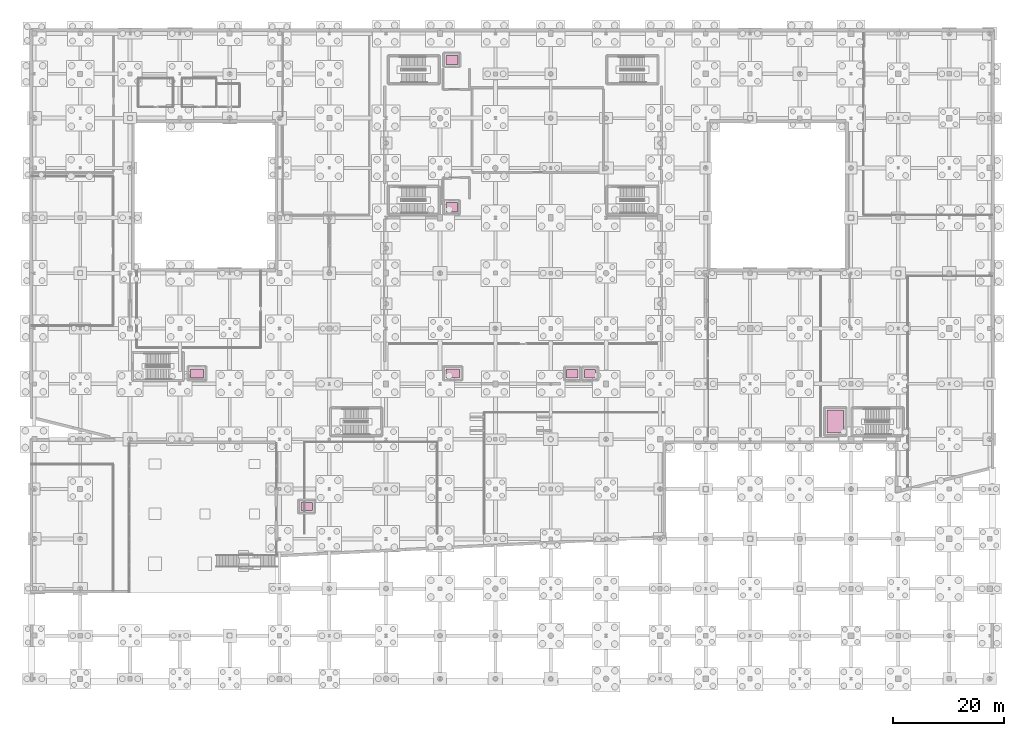
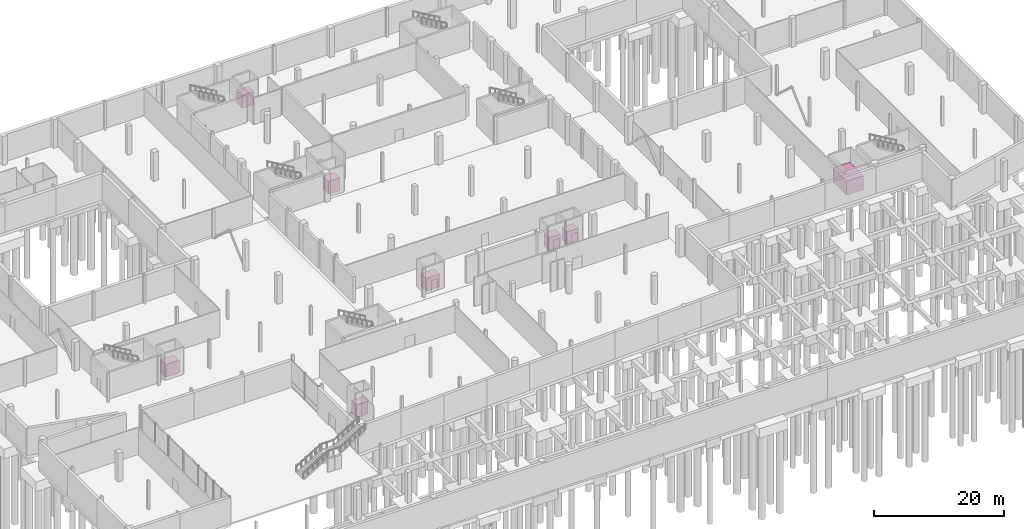
# One storey, part 60 of 60: 8 transport elements.
"""IFC4 building model written with IfcOpenShell, lengths in metres."""

from ifc_helpers import new_model, si_unit, direction, frame, origin, origin_2d, place, context, subcontext, project, spatial, rectangle, extrude, material, type_object, element, save


model = new_model("IFC4")

# Units and contexts
model_context = context("Model", 3, precision=1e-05, world=origin(), true_north=direction((0.0, 1.0)))
body_context = subcontext(model_context, "Body", "Model", "MODEL_VIEW")
ifc_project = project(units=[si_unit("LENGTHUNIT", "METRE"), si_unit("AREAUNIT", "SQUARE_METRE"), si_unit("VOLUMEUNIT", "CUBIC_METRE"), si_unit("PLANEANGLEUNIT", "RADIAN"), si_unit("MASSUNIT", "GRAM", prefix="KILO")], contexts=[model_context])

# Site, building, storey
site_placement = place(None, origin())
site = spatial("IfcSite", under=ifc_project, at=site_placement, CompositionType="ELEMENT")
building_placement = place(site_placement, origin())
building = spatial("IfcBuilding", under=site, at=building_placement, Name="Trimount Lyric Opera House", CompositionType="ELEMENT")
storey_placement = place(building_placement, frame((0.0, 0.0, -5.39990234375)))
storey = spatial("IfcBuildingStorey", under=building, at=storey_placement, Name="B1", CompositionType="ELEMENT", Elevation=-5.39990234375)

# Transport elements
ifc_material_1 = material(Name="Brushed Stainless Steel Cab", Category="steel")
transport_element_type_1 = type_object("IfcTransportElementType", Name="LF-01", PredefinedType="ELEVATOR", material=ifc_material_1)
transport_element_1_placement = place(storey_placement, frame((76.10009765625, 85.89990234375, 0.050048828125), z_axis=(0.0, 0.0, 1.0), x_axis=(1.0, 0.0, 0.0)))
element("IfcTransportElement", 1, at=transport_element_1_placement, inside=storey, type_object=transport_element_type_1, Name="Elevator LF-01", PredefinedType="ELEVATOR", context=body_context, shape_type="SweptSolid", body=[
    extrude(rectangle(XDim=2.050048828125, YDim=1.64990234375, at=origin_2d()), origin(), (0.0, 0.0, 1.0), 2.39990234375),
])
ifc_material_2 = material(Name="Brushed Stainless Steel Cab", Category="steel")
transport_element_type_2 = type_object("IfcTransportElementType", Name="LF-02", PredefinedType="ELEVATOR", material=ifc_material_2)
transport_element_2_placement = place(storey_placement, frame((76.300048828125, 55.89990234375, 0.050048828125), z_axis=(0.0, 0.0, 1.0), x_axis=(1.0, 0.0, 0.0)))
element("IfcTransportElement", 2, at=transport_element_2_placement, inside=storey, type_object=transport_element_type_2, Name="Elevator LF-02", PredefinedType="ELEVATOR", context=body_context, shape_type="SweptSolid", body=[
    extrude(rectangle(XDim=2.39990234375, YDim=1.64990234375, at=origin_2d()), origin(), (0.0, 0.0, 1.0), 2.39990234375),
])
ifc_material_3 = material(Name="Brushed Stainless Steel Cab", Category="steel")
transport_element_type_3 = type_object("IfcTransportElementType", Name="LF-03", PredefinedType="ELEVATOR", material=ifc_material_3)
transport_element_3_placement = place(storey_placement, frame((97.89990234375, 55.85009765625, 0.050048828125), z_axis=(0.0, 0.0, 1.0), x_axis=(1.0, 0.0, 0.0)))
element("IfcTransportElement", 3, at=transport_element_3_placement, inside=storey, type_object=transport_element_type_3, Name="Elevator LF-03", PredefinedType="ELEVATOR", context=body_context, shape_type="SweptSolid", body=[
    extrude(rectangle(XDim=2.050048828125, YDim=1.5, at=origin_2d()), origin(), (0.0, 0.0, 1.0), 2.39990234375),
])
ifc_material_4 = material(Name="Brushed Stainless Steel Cab", Category="steel")
transport_element_type_4 = type_object("IfcTransportElementType", Name="LF-04", PredefinedType="ELEVATOR", material=ifc_material_4)
transport_element_4_placement = place(storey_placement, frame((101.10009765625, 55.85009765625, 0.050048828125), z_axis=(0.0, 0.0, 1.0), x_axis=(1.0, 0.0, 0.0)))
element("IfcTransportElement", 4, at=transport_element_4_placement, inside=storey, type_object=transport_element_type_4, Name="Elevator LF-04", PredefinedType="ELEVATOR", context=body_context, shape_type="SweptSolid", body=[
    extrude(rectangle(XDim=2.050048828125, YDim=1.5, at=origin_2d()), origin(), (0.0, 0.0, 1.0), 2.39990234375),
])
ifc_material_5 = material(Name="Brushed Stainless Steel Cab", Category="steel")
transport_element_type_5 = type_object("IfcTransportElementType", Name="LF-05", PredefinedType="ELEVATOR", material=ifc_material_5)
transport_element_5_placement = place(storey_placement, frame((76.14990234375, 112.5, 0.050048828125), z_axis=(0.0, 0.0, 1.0), x_axis=(1.0, 0.0, 0.0)))
element("IfcTransportElement", 5, at=transport_element_5_placement, inside=storey, type_object=transport_element_type_5, Name="Elevator LF-05", PredefinedType="ELEVATOR", context=body_context, shape_type="SweptSolid", body=[
    extrude(rectangle(XDim=2.10009765625, YDim=1.64990234375, at=origin_2d()), origin(), (0.0, 0.0, 1.0), 2.39990234375),
])
ifc_material_6 = material(Name="Brushed Stainless Steel Cab", Category="steel")
transport_element_type_6 = type_object("IfcTransportElementType", Name="LF-06", PredefinedType="ELEVATOR", material=ifc_material_6)
transport_element_6_placement = place(storey_placement, frame((30.10009765625, 55.89990234375, 0.050048828125), z_axis=(0.0, 0.0, 1.0), x_axis=(1.0, 0.0, 0.0)))
element("IfcTransportElement", 6, at=transport_element_6_placement, inside=storey, type_object=transport_element_type_6, Name="Elevator LF-06", PredefinedType="ELEVATOR", context=body_context, shape_type="SweptSolid", body=[
    extrude(rectangle(XDim=2.39990234375, YDim=1.60009765625, at=origin_2d()), origin(), (0.0, 0.0, 1.0), 2.39990234375),
])
ifc_material_7 = material(Name="Brushed Stainless Steel Cab", Category="steel")
transport_element_type_7 = type_object("IfcTransportElementType", Name="LF-07", PredefinedType="ELEVATOR", material=ifc_material_7)
transport_element_7_placement = place(storey_placement, frame((145.39990234375, 47.199951171875, 0.0498046875), z_axis=(0.0, 0.0, 1.0), x_axis=(1.0, 0.0, 0.0)))
element("IfcTransportElement", 7, at=transport_element_7_placement, inside=storey, type_object=transport_element_type_7, Name="Elevator LF-07", PredefinedType="ELEVATOR", context=body_context, shape_type="SweptSolid", body=[
    extrude(rectangle(XDim=3.0, YDim=4.199951171875, at=origin_2d()), origin(), (0.0, 0.0, 1.0), 2.60009765625),
])
ifc_material_8 = material(Name="Brushed Stainless Steel Cab", Category="steel")
transport_element_type_8 = type_object("IfcTransportElementType", Name="LF-08", PredefinedType="ELEVATOR", material=ifc_material_8)
transport_element_8_placement = place(storey_placement, frame((49.89990234375, 31.85009765625, 0.050048828125), z_axis=(0.0, 0.0, 1.0), x_axis=(1.0, 0.0, 0.0)))
element("IfcTransportElement", 8, at=transport_element_8_placement, inside=storey, type_object=transport_element_type_8, Name="Elevator LF-08", PredefinedType="ELEVATOR", context=body_context, shape_type="SweptSolid", body=[
    extrude(rectangle(XDim=2.050048828125, YDim=1.5, at=origin_2d()), origin(), (0.0, 0.0, 1.0), 2.39990234375),
])

save(model, "model.ifc")
